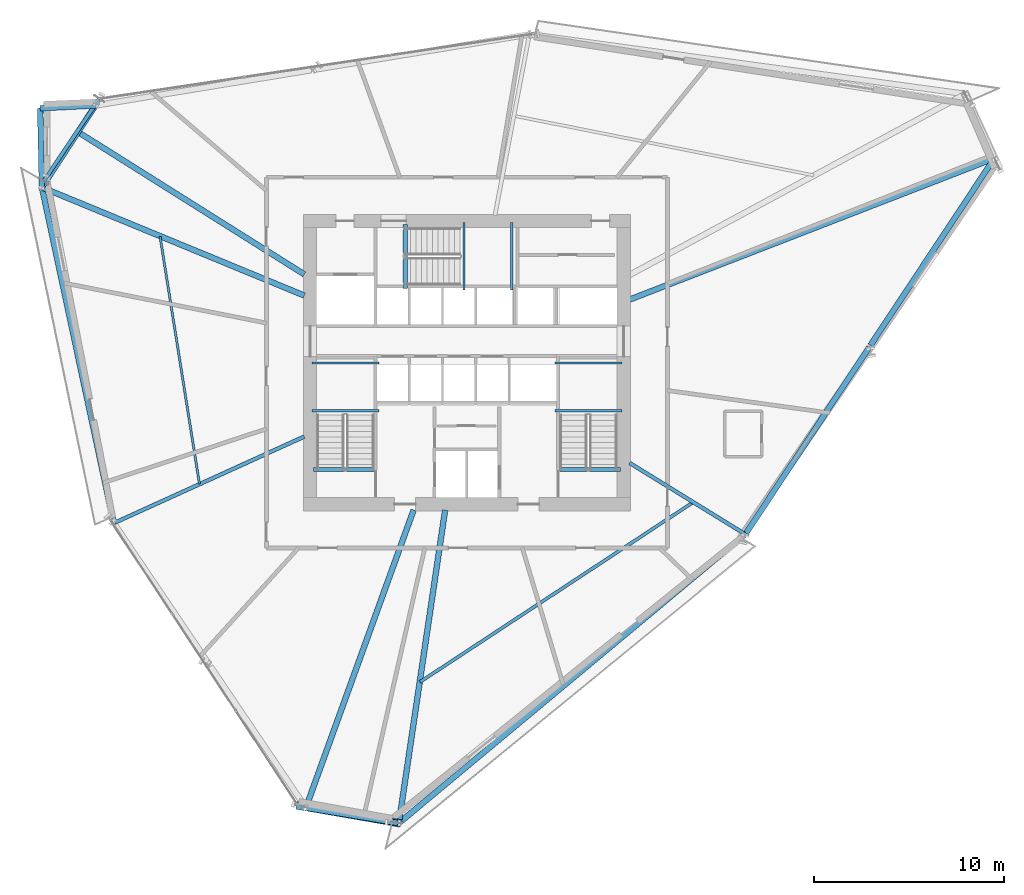
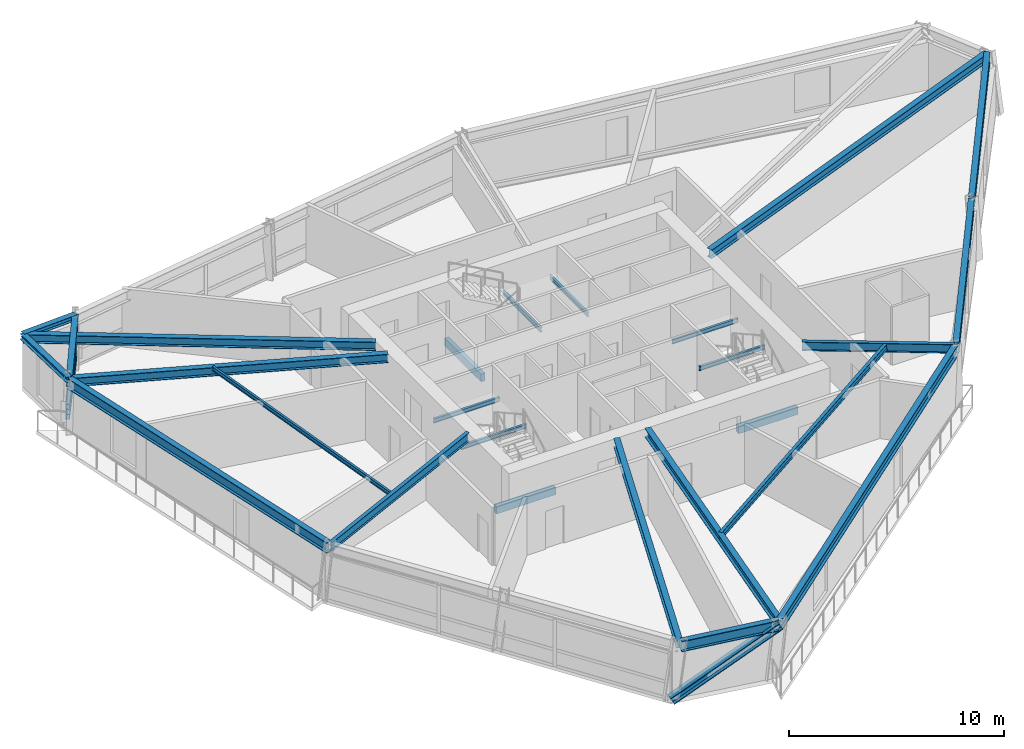
# One storey, part 3 of 14: 26 beams, 3 members.
"""IFC4 building model written with IfcOpenShell, lengths in metres."""

from ifc_helpers import new_model, si_unit, direction, frame, origin, origin_2d, place, context, subcontext, project, spatial, rectangle, hollow_rectangle, i_section, extrude, source, transform, mapped, material, material_profile, profile_set, type_object, element, save


model = new_model("IFC4")

# Units and contexts
model_context = context("Model", 3, precision=1e-05, world=origin(), true_north=direction((0.0, 1.0)))
body_context = subcontext(model_context, "Body", "Model", "MODEL_VIEW")
ifc_project = project(units=[si_unit("LENGTHUNIT", "METRE"), si_unit("AREAUNIT", "SQUARE_METRE"), si_unit("VOLUMEUNIT", "CUBIC_METRE"), si_unit("PLANEANGLEUNIT", "RADIAN"), si_unit("MASSUNIT", "GRAM", prefix="KILO")], contexts=[model_context])

# Site, building, storey
site_placement = place(None, origin())
site = spatial("IfcSite", under=ifc_project, at=site_placement, CompositionType="ELEMENT")
building_placement = place(site_placement, origin())
building = spatial("IfcBuilding", under=site, at=building_placement, Name="Olszyna Solenne Hotel", CompositionType="ELEMENT")
storey_placement = place(building_placement, frame((0.0, 0.0, 130.550048828125)))
storey = spatial("IfcBuildingStorey", under=building, at=storey_placement, Name="L34", CompositionType="ELEMENT", Elevation=130.550048828125)

# Beams
ifc_material_1 = material(Name="Steel S355J2", Category="steel")
ifc_material_profile_1 = material_profile(ifc_material_1, i_section(OverallWidth=0.300048828125, OverallDepth=0.60009765625, WebThickness=0.015380859375, FlangeThickness=0.030029296875, at=origin_2d()), Name="HEB 600", Category="load-bearing")
ifc_profile_set_1 = profile_set([ifc_material_profile_1], Name="Steel S355J2")
beam_type_1 = type_object("IfcBeamType", Name="BM-S2", PredefinedType="BEAM", material=ifc_profile_set_1)
shared_shape_1 = source(origin(), body_context, "Body", "SweptSolid", [
    extrude(i_section(OverallWidth=0.300048828125, OverallDepth=0.60009765625, WebThickness=0.015380859375, FlangeThickness=0.030029296875, at=origin_2d()), origin(), (0.0, 0.0, 1.0), 5.024658203125),
])
beam_1_placement = place(storey_placement, frame((18.421142578125, 40.0791015625, 3.0), z_axis=(-0.546092873662, -0.837724640521, 0.0), x_axis=(0.837724640521, -0.546092873662, 0.0)))
element("IfcBeam", 1, at=beam_1_placement, inside=storey, type_object=beam_type_1, Name="Perimeter spandrel beam BM-S2 B-L34-1020", PredefinedType="BEAM", context=body_context, shape_type="MappedRepresentation", body=[
    mapped(shared_shape_1, transform((0.0, 0.0, 0.0), x_axis=(1.0, 0.0, 0.0), y_axis=(0.0, 1.0, 0.0), z_axis=(0.0, 0.0, 1.0), scale=1.0)),
])
shared_shape_2 = source(origin(), body_context, "Body", "SweptSolid", [
    extrude(i_section(OverallWidth=0.300048828125, OverallDepth=0.60009765625, WebThickness=0.015380859375, FlangeThickness=0.030029296875, at=origin_2d()), origin(), (0.0, 0.0, 1.0), 17.941650390625),
])
beam_2_placement = place(storey_placement, frame((15.656982421875, 35.7607421875, 3.0), z_axis=(0.209229845352, -0.977866489769, 0.0), x_axis=(0.977866489769, 0.209229845352, 0.0)))
element("IfcBeam", 2, at=beam_2_placement, inside=storey, type_object=beam_type_1, Name="Perimeter spandrel beam BM-S2 B-L34-1021", PredefinedType="BEAM", context=body_context, shape_type="MappedRepresentation", body=[
    mapped(shared_shape_2, transform((0.0, 0.0, 0.0), x_axis=(1.0, 0.0, 0.0), y_axis=(0.0, 1.0, 0.0), z_axis=(0.0, 0.0, 1.0), scale=1.0)),
])
shared_shape_3 = source(origin(), body_context, "Body", "SweptSolid", [
    extrude(i_section(OverallWidth=0.300048828125, OverallDepth=0.60009765625, WebThickness=0.015380859375, FlangeThickness=0.030029296875, at=origin_2d()), origin(), (0.0, 0.0, 1.0), 4.835693359375),
])
beam_3_placement = place(storey_placement, frame((29.58935546875, 3.1787109375, 3.0), z_axis=(0.986572093045, -0.163326376388, 0.0), x_axis=(0.163326376388, 0.986572093045, 0.0)))
element("IfcBeam", 3, at=beam_3_placement, inside=storey, type_object=beam_type_1, Name="Perimeter spandrel beam BM-S2 B-L34-1024", PredefinedType="BEAM", context=body_context, shape_type="MappedRepresentation", body=[
    mapped(shared_shape_3, transform((0.0, 0.0, 0.0), x_axis=(1.0, 0.0, 0.0), y_axis=(0.0, 1.0, 0.0), z_axis=(0.0, 0.0, 1.0), scale=1.0)),
])
shared_shape_4 = source(origin(), body_context, "Body", "SweptSolid", [
    extrude(i_section(OverallWidth=0.300048828125, OverallDepth=0.60009765625, WebThickness=0.015380859375, FlangeThickness=0.030029296875, at=origin_2d()), origin(), (0.0, 0.0, 1.0), 23.605712890625),
])
beam_4_placement = place(storey_placement, frame((34.465576171875, 2.41748046875, 3.0), z_axis=(0.768090711671, 0.640341048695, 0.0), x_axis=(-0.640341048695, 0.768090711671, 0.0)))
element("IfcBeam", 4, at=beam_4_placement, inside=storey, type_object=beam_type_1, Name="Perimeter spandrel beam BM-S2 B-L34-1025", PredefinedType="BEAM", context=body_context, shape_type="MappedRepresentation", body=[
    mapped(shared_shape_4, transform((0.0, 0.0, 0.0), x_axis=(1.0, 0.0, 0.0), y_axis=(0.0, 1.0, 0.0), z_axis=(0.0, 0.0, 1.0), scale=1.0)),
])
shared_shape_5 = source(origin(), body_context, "Body", "SweptSolid", [
    extrude(i_section(OverallWidth=0.300048828125, OverallDepth=0.60009765625, WebThickness=0.015380859375, FlangeThickness=0.030029296875, at=origin_2d()), origin(), (0.0, 0.0, 1.0), 11.742919921875),
])
beam_5_placement = place(storey_placement, frame((52.676025390625, 17.62158203125, 3.0), z_axis=(0.55219323891, 0.833716154877, 0.0), x_axis=(-0.833716154877, 0.55219323891, 0.0)))
element("IfcBeam", 5, at=beam_5_placement, inside=storey, type_object=beam_type_1, Name="Perimeter spandrel beam BM-S2 B-L34-1026", PredefinedType="BEAM", context=body_context, shape_type="MappedRepresentation", body=[
    mapped(shared_shape_5, transform((0.0, 0.0, 0.0), x_axis=(1.0, 0.0, 0.0), y_axis=(0.0, 1.0, 0.0), z_axis=(0.0, 0.0, 1.0), scale=1.0)),
])
shared_shape_6 = source(origin(), body_context, "Body", "SweptSolid", [
    extrude(i_section(OverallWidth=0.300048828125, OverallDepth=0.60009765625, WebThickness=0.015380859375, FlangeThickness=0.030029296875, at=origin_2d()), origin(), (0.0, 0.0, 1.0), 11.74267578125),
])
beam_6_placement = place(storey_placement, frame((59.226806640625, 27.511962890625, 3.0), z_axis=(0.55220281037, 0.833709815355, 0.0), x_axis=(-0.833709815355, 0.55220281037, 0.0)))
element("IfcBeam", 6, at=beam_6_placement, inside=storey, type_object=beam_type_1, Name="Perimeter spandrel beam BM-S2 B-L34-1027", PredefinedType="BEAM", context=body_context, shape_type="MappedRepresentation", body=[
    mapped(shared_shape_6, transform((0.0, 0.0, 0.0), x_axis=(1.0, 0.0, 0.0), y_axis=(0.0, 1.0, 0.0), z_axis=(0.0, 0.0, 1.0), scale=1.0)),
])
ifc_material_profile_2 = material_profile(ifc_material_1, i_section(OverallWidth=0.300048828125, OverallDepth=0.489990234375, WebThickness=0.011962890625, FlangeThickness=0.02294921875, at=origin_2d()), Name="HEA 500", Category="load-bearing")
ifc_profile_set_2 = profile_set([ifc_material_profile_2], Name="Steel S355J2")
beam_type_2 = type_object("IfcBeamType", Name="BM-G1", PredefinedType="BEAM", material=ifc_profile_set_2)
shared_shape_7 = source(origin(), body_context, "Body", "SweptSolid", [
    extrude(i_section(OverallWidth=0.300048828125, OverallDepth=0.489990234375, WebThickness=0.011962890625, FlangeThickness=0.02294921875, at=origin_2d()), origin(), (0.0, 0.0, 1.0), 20.521728515625),
])
beam_7_placement = place(storey_placement, frame((65.6884765625, 37.330322265625, 3.054931640625), z_axis=(-0.932429791003, -0.361351193232, 0.0), x_axis=(0.361351193232, -0.932429791003, 0.0)))
element("IfcBeam", 7, at=beam_7_placement, inside=storey, type_object=beam_type_2, Name="Radial floor girder BM-G1 B-L34-1028", PredefinedType="BEAM", context=body_context, shape_type="MappedRepresentation", body=[
    mapped(shared_shape_7, transform((0.0, 0.0, 0.0), x_axis=(1.0, 0.0, 0.0), y_axis=(0.0, 1.0, 0.0), z_axis=(0.0, 0.0, 1.0), scale=1.0)),
])
shared_shape_8 = source(origin(), body_context, "Body", "SweptSolid", [
    extrude(i_section(OverallWidth=0.300048828125, OverallDepth=0.489990234375, WebThickness=0.011962890625, FlangeThickness=0.02294921875, at=origin_2d()), origin(), (0.0, 0.0, 1.0), 16.390380859375),
])
beam_8_placement = place(storey_placement, frame((15.5703125, 39.97265625, 3.054931640625), z_axis=(0.846443211158, -0.532479004548, 0.0), x_axis=(0.532479004548, 0.846443211158, 0.0)))
element("IfcBeam", 8, at=beam_8_placement, inside=storey, type_object=beam_type_2, Name="Radial floor girder BM-G1 B-L34-1031", PredefinedType="BEAM", context=body_context, shape_type="MappedRepresentation", body=[
    mapped(shared_shape_8, transform((0.0, 0.0, 0.0), x_axis=(1.0, 0.0, 0.0), y_axis=(0.0, 1.0, 0.0), z_axis=(0.0, 0.0, 1.0), scale=1.0)),
])
shared_shape_9 = source(origin(), body_context, "Body", "SweptSolid", [
    extrude(i_section(OverallWidth=0.300048828125, OverallDepth=0.489990234375, WebThickness=0.011962890625, FlangeThickness=0.02294921875, at=origin_2d()), origin(), (0.0, 0.0, 1.0), 14.869384765625),
])
beam_9_placement = place(storey_placement, frame((15.699951171875, 35.796630859375, 3.054931640625), z_axis=(0.924472240133, -0.381249363571, 0.0), x_axis=(0.381249363571, 0.924472240133, 0.0)))
element("IfcBeam", 9, at=beam_9_placement, inside=storey, type_object=beam_type_2, Name="Radial floor girder BM-G1 B-L34-1032", PredefinedType="BEAM", context=body_context, shape_type="MappedRepresentation", body=[
    mapped(shared_shape_9, transform((0.0, 0.0, 0.0), x_axis=(1.0, 0.0, 0.0), y_axis=(0.0, 1.0, 0.0), z_axis=(0.0, 0.0, 1.0), scale=1.0)),
])
ifc_material_profile_3 = material_profile(ifc_material_1, i_section(OverallWidth=0.199951171875, OverallDepth=0.5, WebThickness=0.01025390625, FlangeThickness=0.01611328125, at=origin_2d()), Name="IPE 500", Category="load-bearing")
ifc_profile_set_3 = profile_set([ifc_material_profile_3], Name="Steel S355J2")
beam_type_3 = type_object("IfcBeamType", Name="BM-F3", PredefinedType="BEAM", material=ifc_profile_set_3)
shared_shape_10 = source(origin(), body_context, "Body", "SweptSolid", [
    extrude(i_section(OverallWidth=0.199951171875, OverallDepth=0.5, WebThickness=0.01025390625, FlangeThickness=0.01611328125, at=origin_2d()), origin(), (0.0, 0.0, 1.0), 10.9482421875),
])
beam_10_placement = place(storey_placement, frame((19.478271484375, 18.1826171875, 3.050048828125), z_axis=(0.910393967824, 0.413742460173, 0.0), x_axis=(-0.413742460173, 0.910393967824, 0.0)))
element("IfcBeam", 10, at=beam_10_placement, inside=storey, type_object=beam_type_3, Name="Radial floor girder BM-F3 B-L34-1033", PredefinedType="BEAM", context=body_context, shape_type="MappedRepresentation", body=[
    mapped(shared_shape_10, transform((0.0, 0.0, 0.0), x_axis=(1.0, 0.0, 0.0), y_axis=(0.0, 1.0, 0.0), z_axis=(0.0, 0.0, 1.0), scale=1.0)),
])
shared_shape_11 = source(origin(), body_context, "Body", "SweptSolid", [
    extrude(i_section(OverallWidth=0.300048828125, OverallDepth=0.489990234375, WebThickness=0.011962890625, FlangeThickness=0.02294921875, at=origin_2d()), origin(), (0.0, 0.0, 1.0), 16.591796875),
])
beam_11_placement = place(storey_placement, frame((29.550537109375, 3.244873046875, 3.054931640625), z_axis=(0.340201972621, 0.940352390237, 0.0), x_axis=(-0.940352390237, 0.340201972621, 0.0)))
element("IfcBeam", 11, at=beam_11_placement, inside=storey, type_object=beam_type_2, Name="Radial floor girder BM-G1 B-L34-1034", PredefinedType="BEAM", context=body_context, shape_type="MappedRepresentation", body=[
    mapped(shared_shape_11, transform((0.0, 0.0, 0.0), x_axis=(1.0, 0.0, 0.0), y_axis=(0.0, 1.0, 0.0), z_axis=(0.0, 0.0, 1.0), scale=1.0)),
])
shared_shape_12 = source(origin(), body_context, "Body", "SweptSolid", [
    extrude(i_section(OverallWidth=0.300048828125, OverallDepth=0.489990234375, WebThickness=0.011962890625, FlangeThickness=0.02294921875, at=origin_2d()), origin(), (0.0, 0.0, 1.0), 16.589599609375),
])
beam_12_placement = place(storey_placement, frame((34.42822265625, 2.4384765625, 3.054931640625), z_axis=(0.146238775804, 0.989249321683, 0.0), x_axis=(-0.989249321683, 0.146238775804, 0.0)))
element("IfcBeam", 12, at=beam_12_placement, inside=storey, type_object=beam_type_2, Name="Radial floor girder BM-G1 B-L34-1035", PredefinedType="BEAM", context=body_context, shape_type="MappedRepresentation", body=[
    mapped(shared_shape_12, transform((0.0, 0.0, 0.0), x_axis=(1.0, 0.0, 0.0), y_axis=(0.0, 1.0, 0.0), z_axis=(0.0, 0.0, 1.0), scale=1.0)),
])
shared_shape_13 = source(origin(), body_context, "Body", "SweptSolid", [
    extrude(i_section(OverallWidth=0.199951171875, OverallDepth=0.5, WebThickness=0.01025390625, FlangeThickness=0.01611328125, at=origin_2d()), origin(), (0.0, 0.0, 1.0), 7.089111328125),
])
beam_13_placement = place(storey_placement, frame((52.591796875, 17.603271484375, 3.050048828125), z_axis=(-0.851219332439, 0.524810106689, 0.0), x_axis=(-0.524810106689, -0.851219332439, 0.0)))
element("IfcBeam", 13, at=beam_13_placement, inside=storey, type_object=beam_type_3, Name="Radial floor girder BM-F3 B-L34-1036", PredefinedType="BEAM", context=body_context, shape_type="MappedRepresentation", body=[
    mapped(shared_shape_13, transform((0.0, 0.0, 0.0), x_axis=(1.0, 0.0, 0.0), y_axis=(0.0, 1.0, 0.0), z_axis=(0.0, 0.0, 1.0), scale=1.0)),
])
ifc_material_profile_4 = material_profile(ifc_material_1, i_section(OverallWidth=0.300048828125, OverallDepth=0.31005859375, WebThickness=0.009033203125, FlangeThickness=0.015380859375, at=origin_2d()), Name="HEA 320", Category="load-bearing")
ifc_profile_set_4 = profile_set([ifc_material_profile_4], Name="Steel S355J2")
beam_type_4 = type_object("IfcBeamType", Name="BM-G3", PredefinedType="BEAM", material=ifc_profile_set_4)
shared_shape_14 = source(origin(), body_context, "Body", "SweptSolid", [
    extrude(i_section(OverallWidth=0.300048828125, OverallDepth=0.31005859375, WebThickness=0.009033203125, FlangeThickness=0.015380859375, at=origin_2d()), origin(), (0.0, 0.0, 1.0), 2.904052734375),
])
beam_14_placement = place(storey_placement, frame((18.453857421875, 40.12939453125, 3.14501953125), z_axis=(-0.998731286204, -0.050356905761, 0.0), x_axis=(0.050356905761, -0.998731286204, 0.0)))
element("IfcBeam", 14, at=beam_14_placement, inside=storey, type_object=beam_type_4, Name="Prism side edge beam BM-G3 B-L34-1037", PredefinedType="BEAM", context=body_context, shape_type="MappedRepresentation", body=[
    mapped(shared_shape_14, transform((0.0, 0.0, 0.0), x_axis=(1.0, 0.0, 0.0), y_axis=(0.0, 1.0, 0.0), z_axis=(0.0, 0.0, 1.0), scale=1.0)),
])
shared_shape_15 = source(origin(), body_context, "Body", "SweptSolid", [
    extrude(i_section(OverallWidth=0.300048828125, OverallDepth=0.31005859375, WebThickness=0.009033203125, FlangeThickness=0.015380859375, at=origin_2d()), origin(), (0.0, 0.0, 1.0), 4.16455078125),
])
beam_15_placement = place(storey_placement, frame((15.64453125, 35.819580078125, 3.14501953125), z_axis=(-0.021866472132, 0.999760900114, 0.0), x_axis=(-0.999760900114, -0.021866472132, 0.0)))
element("IfcBeam", 15, at=beam_15_placement, inside=storey, type_object=beam_type_4, Name="Prism side edge beam BM-G3 B-L34-1038", PredefinedType="BEAM", context=body_context, shape_type="MappedRepresentation", body=[
    mapped(shared_shape_15, transform((0.0, 0.0, 0.0), x_axis=(1.0, 0.0, 0.0), y_axis=(0.0, 1.0, 0.0), z_axis=(0.0, 0.0, 1.0), scale=1.0)),
])
ifc_material_profile_5 = material_profile(ifc_material_1, i_section(OverallWidth=0.1201171875, OverallDepth=0.239990234375, WebThickness=0.006103515625, FlangeThickness=0.009765625, at=origin_2d()), Name="IPE 240", Category="load-bearing")
ifc_profile_set_5 = profile_set([ifc_material_profile_5], Name="Steel S355J2")
beam_type_5 = type_object("IfcBeamType", Name="JS-03", PredefinedType="JOIST", material=ifc_profile_set_5)
shared_shape_16 = source(origin(), body_context, "Body", "SweptSolid", [
    extrude(i_section(OverallWidth=0.1201171875, OverallDepth=0.239990234375, WebThickness=0.006103515625, FlangeThickness=0.009765625, at=origin_2d()), origin(), (0.0, 0.0, 1.0), 13.17529296875),
])
beam_16_placement = place(storey_placement, frame((21.8583984375, 33.23828125, 3.179931640625), z_axis=(0.157267023695, -0.987556116511, 0.0), x_axis=(0.987556116511, 0.157267023695, 0.0)))
element("IfcBeam", 16, at=beam_16_placement, inside=storey, type_object=beam_type_5, Name="Secondary composite floor joist JS-03 B-L34-1040", PredefinedType="JOIST", context=body_context, shape_type="MappedRepresentation", body=[
    mapped(shared_shape_16, transform((0.0, 0.0, 0.0), x_axis=(1.0, 0.0, 0.0), y_axis=(0.0, 1.0, 0.0), z_axis=(0.0, 0.0, 1.0), scale=1.0)),
])
ifc_material_profile_6 = material_profile(ifc_material_1, i_section(OverallWidth=0.169921875, OverallDepth=0.360107421875, WebThickness=0.008056640625, FlangeThickness=0.0126953125, at=origin_2d()), Name="IPE 360", Category="load-bearing")
ifc_profile_set_6 = profile_set([ifc_material_profile_6], Name="Steel S355J2")
beam_type_6 = type_object("IfcBeamType", Name="JS-01", PredefinedType="JOIST", material=ifc_profile_set_6)
shared_shape_17 = source(origin(), body_context, "Body", "SweptSolid", [
    extrude(i_section(OverallWidth=0.169921875, OverallDepth=0.360107421875, WebThickness=0.008056640625, FlangeThickness=0.0126953125, at=origin_2d()), origin(), (0.0, 0.0, 1.0), 17.185546875),
])
beam_17_placement = place(storey_placement, frame((35.53173828125, 9.8017578125, 3.119873046875), z_axis=(0.83534875729, 0.54972034135, 0.0), x_axis=(-0.54972034135, 0.83534875729, 0.0)))
element("IfcBeam", 17, at=beam_17_placement, inside=storey, type_object=beam_type_6, Name="Secondary composite floor joist JS-01 B-L34-1041", PredefinedType="JOIST", context=body_context, shape_type="MappedRepresentation", body=[
    mapped(shared_shape_17, transform((0.0, 0.0, 0.0), x_axis=(1.0, 0.0, 0.0), y_axis=(0.0, 1.0, 0.0), z_axis=(0.0, 0.0, 1.0), scale=1.0)),
])

# Members
ifc_material_profile_7 = material_profile(ifc_material_1, hollow_rectangle(XDim=0.199951171875, YDim=0.300048828125, WallThickness=0.01611328125, at=origin_2d()), Name="RHS 300x200x16", Category="load-bearing")
ifc_profile_set_7 = profile_set([ifc_material_profile_7], Name="Steel S355J2")
member_type_1 = type_object("IfcMemberType", Name="CH-PR1", PredefinedType="CHORD", material=ifc_profile_set_7)
shared_shape_18 = source(origin(), body_context, "Body", "SweptSolid", [
    extrude(hollow_rectangle(XDim=0.199951171875, YDim=0.300048828125, WallThickness=0.01611328125, at=origin_2d()), origin(), (0.0, 0.0, 1.0), 5.197998046875),
])
for number, where, z_axis, x_axis, name in (
    (18, (18.654296875, 40.470703125, 1.349853515625), (-0.55911463919, -0.829090357105, 0.0), (0.829090357105, -0.55911463919, 0.0), "Glass-prism tie chord CH-PR1 M-L34-PR1"),
    (19, (18.654296875, 40.470703125, 0.780029296875), (-0.55911463919, -0.829090357105, 0.0), (0.829090357105, -0.55911463919, 0.0), "Glass-prism tie chord CH-PR1 M-L34-PR2"),
):
    element("IfcMember", number, at=place(storey_placement, frame(where, z_axis=z_axis, x_axis=x_axis)), inside=storey, type_object=member_type_1, Name=name, PredefinedType="CHORD", context=body_context, shape_type="MappedRepresentation", body=[
        mapped(shared_shape_18, transform((0.0, 0.0, 0.0), x_axis=(1.0, 0.0, 0.0), y_axis=(0.0, 1.0, 0.0), z_axis=(0.0, 0.0, 1.0), scale=1.0)),
    ])
ifc_material_2 = material(Name="Steel S460M", Category="steel")
ifc_material_profile_8 = material_profile(ifc_material_2, i_section(OverallWidth=0.406005859375, OverallDepth=0.416015625, WebThickness=0.026611328125, FlangeThickness=0.04150390625, at=origin_2d()), Name="HD 400x382", Category="load-bearing")
ifc_profile_set_8 = profile_set([ifc_material_profile_8], Name="Steel S460M")
member_type_2 = type_object("IfcMemberType", Name="BR-T2", PredefinedType="BRACE", material=ifc_profile_set_8)
shared_shape_19 = source(origin(), body_context, "Body", "SweptSolid", [
    extrude(i_section(OverallWidth=0.406005859375, OverallDepth=0.416015625, WebThickness=0.026611328125, FlangeThickness=0.04150390625, at=origin_2d()), origin(), (0.0, 0.0, 1.0), 6.133056640625),
])
member_placement = place(storey_placement, frame((29.126953125, 3.297119140625, 0.010009765625), z_axis=(0.862943341175, -0.149675567987, 0.482624092094), x_axis=(0.17089615343, 0.985289046292, 0.0)))
element("IfcMember", 20, at=member_placement, inside=storey, type_object=member_type_2, Name="Perimeter braced-tube diagonal BR-T2 BR-L34-3", PredefinedType="BRACE", context=body_context, shape_type="MappedRepresentation", body=[
    mapped(shared_shape_19, transform((0.0, 0.0, 0.0), x_axis=(1.0, 0.0, 0.0), y_axis=(0.0, 1.0, 0.0), z_axis=(0.0, 0.0, 1.0), scale=1.0)),
])

# Beams
shared_shape_20 = source(origin(), body_context, "Body", "SweptSolid", [
    extrude(i_section(OverallWidth=0.1201171875, OverallDepth=0.239990234375, WebThickness=0.006103515625, FlangeThickness=0.009765625, at=origin_2d()), origin(), (0.0, 0.0, 1.0), 3.539794921875),
])
for number, where, z_axis, x_axis, name in (
    (21, (33.3798828125, 24.070068359375, 1.449951171875), (-1.0, 0.0, 0.0), (0.0, -1.0, 0.0), "Stair landing support beam JS-03 SLB-ST1-0073"),
    (22, (33.3798828125, 26.580078125, 1.449951171875), (-1.0, 0.0, 0.0), (0.0, -1.0, 0.0), "Stair landing support beam JS-03 SLB-ST1-0074"),
    (23, (46.159912109375, 24.070068359375, 1.449951171875), (-1.0, 0.0, 0.0), (0.0, -1.0, 0.0), "Stair landing support beam JS-03 SLB-ST2-0313"),
    (24, (46.159912109375, 26.580078125, 1.449951171875), (-1.0, 0.0, 0.0), (0.0, -1.0, 0.0), "Stair landing support beam JS-03 SLB-ST2-0314"),
):
    element("IfcBeam", number, at=place(storey_placement, frame(where, z_axis=z_axis, x_axis=x_axis)), inside=storey, type_object=beam_type_5, Name=name, PredefinedType="JOIST", context=body_context, shape_type="MappedRepresentation", body=[
        mapped(shared_shape_20, transform((0.0, 0.0, 0.0), x_axis=(1.0, 0.0, 0.0), y_axis=(0.0, 1.0, 0.0), z_axis=(0.0, 0.0, 1.0), scale=1.0)),
    ])
ifc_material_3 = material(Name="Concrete C50/60", Category="concrete")
ifc_material_profile_9 = material_profile(ifc_material_3, rectangle(XDim=0.219970703125, YDim=0.43994140625, at=origin_2d()), Name="RC 220x440", Category="load-bearing")
ifc_profile_set_9 = profile_set([ifc_material_profile_9], Name="Concrete C50/60")
beam_type_7 = type_object("IfcBeamType", Name="BM-ST1", PredefinedType="BEAM", material=ifc_profile_set_9)
shared_shape_21 = source(origin(), body_context, "Body", "SweptSolid", [
    extrude(rectangle(XDim=0.219970703125, YDim=0.43994140625, at=origin_2d()), origin(), (0.0, 0.0, 1.0), 3.18017578125),
])
for number, where, z_axis, x_axis, name in (
    (25, (33.10009765625, 20.97998046875, -0.205078125), (-1.0, 0.0, 0.0), (0.0, -1.0, 0.0), "Concrete stair trimmer beam BM-ST1 SHB-ST1-0196"),
    (26, (46.080078125, 20.97998046875, -0.205078125), (-1.0, 0.0, 0.0), (0.0, -1.0, 0.0), "Concrete stair trimmer beam BM-ST1 SHB-ST2-0436"),
):
    element("IfcBeam", number, at=place(storey_placement, frame(where, z_axis=z_axis, x_axis=x_axis)), inside=storey, type_object=beam_type_7, Name=name, PredefinedType="BEAM", context=body_context, shape_type="MappedRepresentation", body=[
        mapped(shared_shape_21, transform((0.0, 0.0, 0.0), x_axis=(1.0, 0.0, 0.0), y_axis=(0.0, 1.0, 0.0), z_axis=(0.0, 0.0, 1.0), scale=1.0)),
    ])
shared_shape_22 = source(origin(), body_context, "Body", "SweptSolid", [
    extrude(i_section(OverallWidth=0.1201171875, OverallDepth=0.239990234375, WebThickness=0.006103515625, FlangeThickness=0.009765625, at=origin_2d()), origin(), (0.0, 0.0, 1.0), 3.5400390625),
])
for number, where, z_axis, x_axis, name in (
    (27, (37.85009765625, 30.419921875, 1.449951171875), (0.0, 1.0, 0.0), (-1.0, 0.0, 0.0), "Stair landing support beam JS-03 SLB-ST3-0553"),
    (28, (40.360107421875, 30.419921875, 1.449951171875), (0.0, 1.0, 0.0), (-1.0, 0.0, 0.0), "Stair landing support beam JS-03 SLB-ST3-0554"),
):
    element("IfcBeam", number, at=place(storey_placement, frame(where, z_axis=z_axis, x_axis=x_axis)), inside=storey, type_object=beam_type_5, Name=name, PredefinedType="JOIST", context=body_context, shape_type="MappedRepresentation", body=[
        mapped(shared_shape_22, transform((0.0, 0.0, 0.0), x_axis=(1.0, 0.0, 0.0), y_axis=(0.0, 1.0, 0.0), z_axis=(0.0, 0.0, 1.0), scale=1.0)),
    ])
shared_shape_23 = source(origin(), body_context, "Body", "SweptSolid", [
    extrude(rectangle(XDim=0.219970703125, YDim=0.43994140625, at=origin_2d()), origin(), (0.0, 0.0, 1.0), 3.3798828125),
])
beam_18_placement = place(storey_placement, frame((34.760009765625, 30.5, -0.205078125), z_axis=(0.0, 1.0, 0.0), x_axis=(-1.0, 0.0, 0.0)))
element("IfcBeam", 29, at=beam_18_placement, inside=storey, type_object=beam_type_7, Name="Concrete stair trimmer beam BM-ST1 SHB-ST3-0674", PredefinedType="BEAM", context=body_context, shape_type="MappedRepresentation", body=[
    mapped(shared_shape_23, transform((0.0, 0.0, 0.0), x_axis=(1.0, 0.0, 0.0), y_axis=(0.0, 1.0, 0.0), z_axis=(0.0, 0.0, 1.0), scale=1.0)),
])

save(model, "model.ifc")
